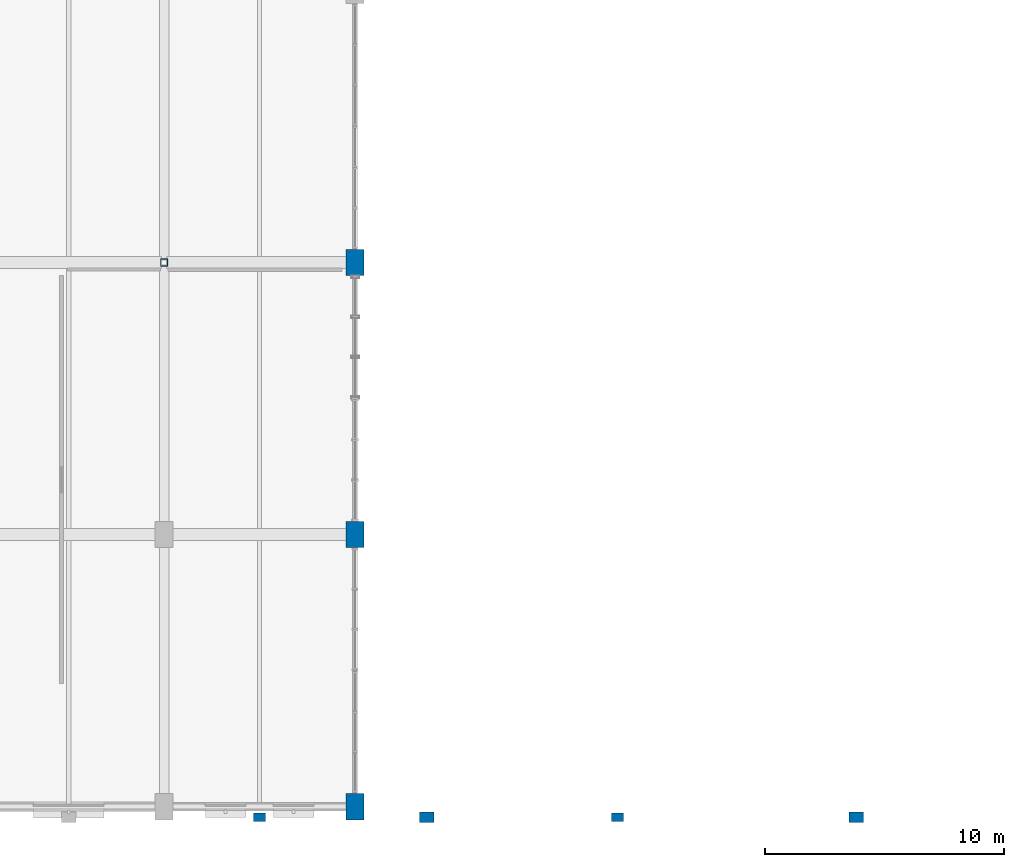
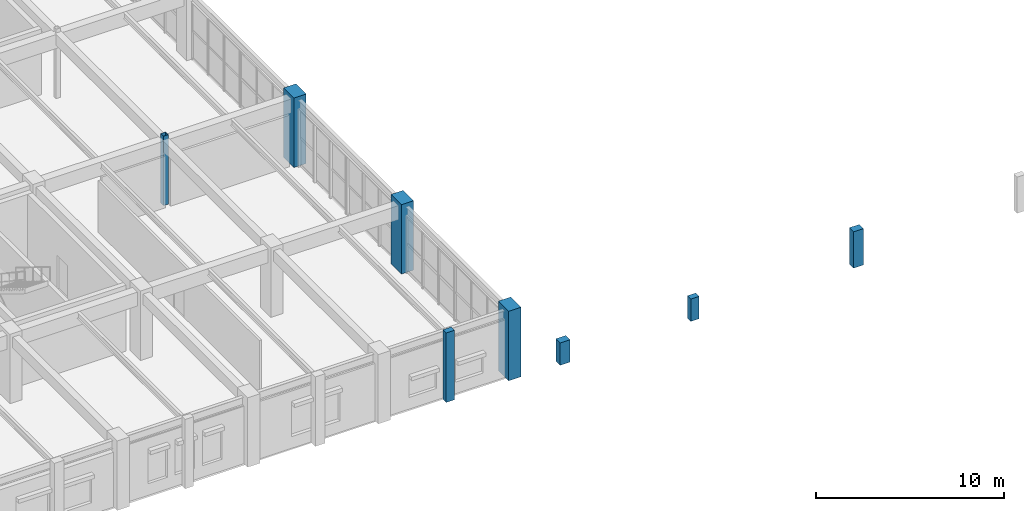
# One storey, part 2 of 80: 8 columns.
"""IFC4 building model written with IfcOpenShell, lengths in metres."""

from ifc_helpers import new_model, si_unit, direction, frame, origin, origin_2d, place, context, subcontext, project, spatial, rectangle, hollow_rectangle, extrude, material, material_profile, profile_set, type_object, element, save


model = new_model("IFC4")

# Units and contexts
model_context = context("Model", 3, precision=1e-05, world=origin(), true_north=direction((0.0, 1.0)))
body_context = subcontext(model_context, "Body", "Model", "MODEL_VIEW")
ifc_project = project(units=[si_unit("LENGTHUNIT", "METRE"), si_unit("AREAUNIT", "SQUARE_METRE"), si_unit("VOLUMEUNIT", "CUBIC_METRE"), si_unit("PLANEANGLEUNIT", "RADIAN"), si_unit("MASSUNIT", "GRAM", prefix="KILO"), si_unit("POWERUNIT", "WATT"), si_unit("THERMODYNAMICTEMPERATUREUNIT", "KELVIN")], contexts=[model_context])

# Site, building, storey
site_placement = place(None, origin())
site = spatial("IfcSite", under=ifc_project, at=site_placement, CompositionType="ELEMENT")
building_placement = place(site_placement, origin())
building = spatial("IfcBuilding", under=site, at=building_placement, Name="Kelmbourne Parkland Aquatics Centre", CompositionType="ELEMENT")
storey_placement = place(building_placement, frame((0.0, 0.0, 10.199951171875)))
storey = spatial("IfcBuildingStorey", under=building, at=storey_placement, Name="L02", CompositionType="ELEMENT", Elevation=10.199951171875)

# Columns
ifc_material_1 = material(Name="Concrete C40/50", Category="concrete")
ifc_material_profile_1 = material_profile(ifc_material_1, rectangle(XDim=0.75, YDim=1.10009765625, at=origin_2d()), Name="RC 750x1100")
ifc_profile_set_1 = profile_set([ifc_material_profile_1], Name="Concrete C40/50")
column_type_1 = type_object("IfcColumnType", Name="COL-C03", PredefinedType="COLUMN", material=ifc_profile_set_1)
for number, where, z_axis, x_axis, name in (
    (1, (40.0, 0.800048828125, 0.0), (0.0, 0.0, 1.0), (1.0, 0.0, 0.0), "Structural column F-01 (L02)"),
    (2, (40.0, 12.199951171875, 0.0), (0.0, 0.0, 1.0), (1.0, 0.0, 0.0), "Structural column F-03 (L02)"),
    (3, (40.0, 23.60009765625, 0.0), (0.0, 0.0, 1.0), (1.0, 0.0, 0.0), "Structural column F-04 (L02)"),
):
    element("IfcColumn", number, at=place(storey_placement, frame(where, z_axis=z_axis, x_axis=x_axis)), inside=storey, type_object=column_type_1, Name=name, PredefinedType="COLUMN", context=body_context, shape_type="SweptSolid", body=[
        extrude(rectangle(XDim=0.75, YDim=1.10009765625, at=origin_2d()), origin(), (0.0, 0.0, 1.0), 4.5),
    ])
ifc_material_2 = material(Name="Cold-formed hollow steel AS/NZS 1163 C350L0", Category="steel")
ifc_material_profile_2 = material_profile(ifc_material_2, hollow_rectangle(XDim=0.300048828125, YDim=0.300048828125, WallThickness=0.012451171875, at=origin_2d()), Name="SHS 300x300x12.5")
ifc_profile_set_2 = profile_set([ifc_material_profile_2], Name="Cold-formed hollow steel AS/NZS 1163 C350L0")
column_type_2 = type_object("IfcColumnType", Name="COL-C22", PredefinedType="COLUMN", material=ifc_profile_set_2)
column_1_placement = place(storey_placement, frame((32.0, 23.60009765625, 0.0), z_axis=(0.0, 0.0, 1.0), x_axis=(1.0, 0.0, 0.0)))
element("IfcColumn", 4, at=column_1_placement, inside=storey, type_object=column_type_2, Name="Structural column E-04 (L02)", PredefinedType="COLUMN", context=body_context, shape_type="SweptSolid", body=[
    extrude(hollow_rectangle(XDim=0.300048828125, YDim=0.300048828125, WallThickness=0.012451171875, at=origin_2d()), origin(), (0.0, 0.0, 1.0), 4.5),
])
ifc_material_3 = material(Name="Clay brick masonry AS 3700 M12", Category="masonry")
ifc_material_profile_3 = material_profile(ifc_material_3, rectangle(XDim=0.35009765625, YDim=0.5, at=origin_2d()), Name="PIL 350x500")
ifc_profile_set_3 = profile_set([ifc_material_profile_3], Name="Clay brick masonry AS 3700 M12")
column_type_3 = type_object("IfcColumnType", Name="PIL-PL1", PredefinedType="PILASTER", material=ifc_profile_set_3)
column_2_placement = place(storey_placement, frame((36.0, 0.35009765625, 0.0), z_axis=(0.0, 0.0, 1.0), x_axis=(0.0, 1.0, 0.0)))
element("IfcColumn", 5, at=column_2_placement, inside=storey, type_object=column_type_3, Name="Amsterdam School engaged brick buttress S-023 (L02)", PredefinedType="PILASTER", context=body_context, shape_type="SweptSolid", body=[
    extrude(rectangle(XDim=0.35009765625, YDim=0.5, at=origin_2d()), origin(), (0.0, 0.0, 1.0), 4.5),
])
column_3_placement = place(storey_placement, frame((51.0, 0.35009765625, 0.0), z_axis=(0.0, 0.0, 1.0), x_axis=(0.0, 1.0, 0.0)))
element("IfcColumn", 6, at=column_3_placement, inside=storey, type_object=column_type_3, Name="Amsterdam School engaged brick buttress S-025 (L02)", PredefinedType="PILASTER", context=body_context, shape_type="SweptSolid", body=[
    extrude(rectangle(XDim=0.35009765625, YDim=0.5, at=origin_2d()), origin(), (0.0, 0.0, 1.0), 1.449951171875),
])
ifc_material_profile_4 = material_profile(ifc_material_3, rectangle(XDim=0.449951171875, YDim=0.60009765625, at=origin_2d()), Name="PIL 450x600")
ifc_profile_set_4 = profile_set([ifc_material_profile_4], Name="Clay brick masonry AS 3700 M12")
column_type_4 = type_object("IfcColumnType", Name="PIL-PL2", PredefinedType="PILASTER", material=ifc_profile_set_4)
column_4_placement = place(storey_placement, frame((43.0, 0.35009765625, 0.0), z_axis=(0.0, 0.0, 1.0), x_axis=(0.0, 1.0, 0.0)))
element("IfcColumn", 7, at=column_4_placement, inside=storey, type_object=column_type_4, Name="Amsterdam School engaged brick buttress S-024 (L02)", PredefinedType="PILASTER", context=body_context, shape_type="SweptSolid", body=[
    extrude(rectangle(XDim=0.449951171875, YDim=0.60009765625, at=origin_2d()), origin(), (0.0, 0.0, 1.0), 1.449951171875),
])
column_5_placement = place(storey_placement, frame((61.0, 0.35009765625, 0.0), z_axis=(0.0, 0.0, 1.0), x_axis=(0.0, 1.0, 0.0)))
element("IfcColumn", 8, at=column_5_placement, inside=storey, type_object=column_type_4, Name="Amsterdam School engaged brick buttress S-026 (L02)", PredefinedType="PILASTER", context=body_context, shape_type="SweptSolid", body=[
    extrude(rectangle(XDim=0.449951171875, YDim=0.60009765625, at=origin_2d()), origin(), (0.0, 0.0, 1.0), 2.35009765625),
])

save(model, "model.ifc")
